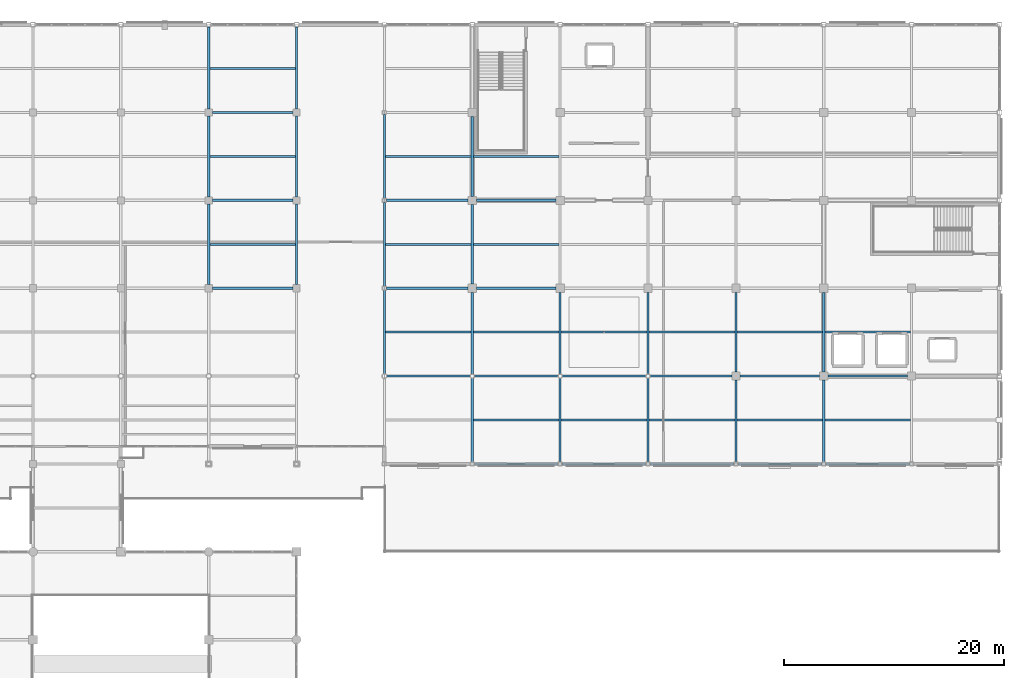
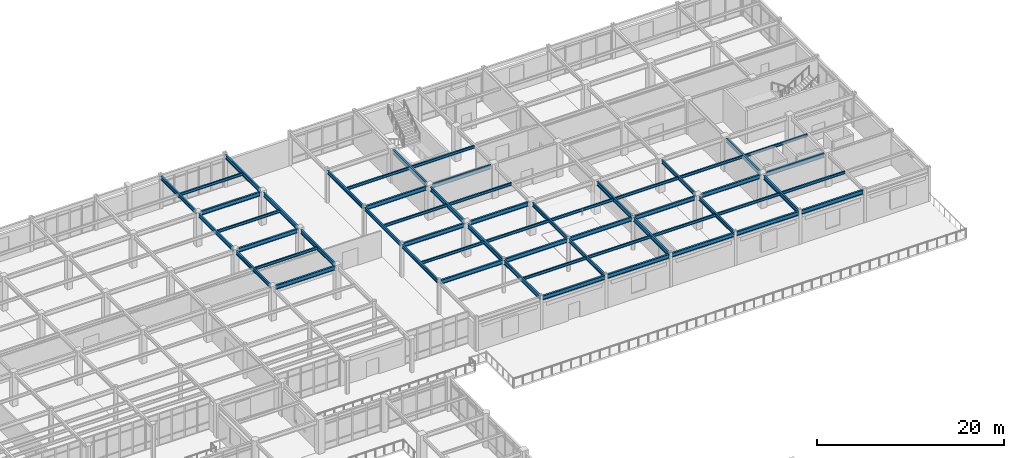
# One storey, part 59 of 111: 57 beams.
"""IFC4 building model written with IfcOpenShell, lengths in metres."""

from ifc_helpers import new_model, si_unit, direction, frame, origin, origin_2d, place, context, subcontext, project, spatial, i_section, extrude, material, material_profile, profile_set, type_object, element, save


model = new_model("IFC4")

# Units and contexts
model_context = context("Model", 3, precision=1e-05, world=origin(), true_north=direction((0.0, 1.0)))
body_context = subcontext(model_context, "Body", "Model", "MODEL_VIEW")
ifc_project = project(units=[si_unit("LENGTHUNIT", "METRE"), si_unit("AREAUNIT", "SQUARE_METRE"), si_unit("VOLUMEUNIT", "CUBIC_METRE"), si_unit("PLANEANGLEUNIT", "RADIAN"), si_unit("MASSUNIT", "GRAM", prefix="KILO")], contexts=[model_context])

# Site, building, storey
site_placement = place(None, origin())
site = spatial("IfcSite", under=ifc_project, at=site_placement, CompositionType="ELEMENT")
building_placement = place(site_placement, origin())
building = spatial("IfcBuilding", under=site, at=building_placement, Name="Solmirada Galleria", CompositionType="ELEMENT")
storey_placement = place(building_placement, frame((0.0, 0.0, 10.39990234375)))
storey = spatial("IfcBuildingStorey", under=building, at=storey_placement, Name="L02", CompositionType="ELEMENT", Elevation=10.39990234375)

# Beams
ifc_material = material(Name="Steel S355 / ASTM A992 Grade 50", Category="steel")
ifc_material_profile_1 = material_profile(ifc_material, i_section(OverallWidth=0.194091796875, OverallDepth=0.468994140625, WebThickness=0.0126953125, FlangeThickness=0.0205078125, FilletRadius=0.013916015625, at=origin_2d()), Name="W18X71")
ifc_profile_set_1 = profile_set([ifc_material_profile_1], Name="Steel S355 / ASTM A992 Grade 50")
beam_type_1 = type_object("IfcBeamType", Name="BM-GIRD-W18B", PredefinedType="BEAM", material=ifc_profile_set_1)
for number, where, z_axis, x_axis, name in (
    (1, (104.0, 96.324951171875, 4.065673828125), (0.0, 1.0, 0.0), (-1.0, 0.0, 0.0), "Primary girder L03 Y(104, 96..104)"),
    (2, (104.0, 104.324951171875, 4.065673828125), (0.0, 1.0, 0.0), (-1.0, 0.0, 0.0), "Primary girder L03 Y(104, 104..112)"),
):
    element("IfcBeam", number, at=place(storey_placement, frame(where, z_axis=z_axis, x_axis=x_axis)), inside=storey, type_object=beam_type_1, Name=name, PredefinedType="BEAM", context=body_context, shape_type="SweptSolid", body=[
        extrude(i_section(OverallWidth=0.194091796875, OverallDepth=0.468994140625, WebThickness=0.0126953125, FlangeThickness=0.0205078125, FilletRadius=0.013916015625, at=origin_2d()), origin(), (0.0, 0.0, 1.0), 7.35009765625),
    ])
beam_1_placement = place(storey_placement, frame((104.0, 112.324951171875, 4.065673828125), z_axis=(0.0, 1.0, 0.0), x_axis=(-1.0, 0.0, 0.0)))
element("IfcBeam", 3, at=beam_1_placement, inside=storey, type_object=beam_type_1, Name="Primary girder L03 Y(104, 112..120)", PredefinedType="BEAM", context=body_context, shape_type="SweptSolid", body=[
    extrude(i_section(OverallWidth=0.194091796875, OverallDepth=0.468994140625, WebThickness=0.0126953125, FlangeThickness=0.0205078125, FilletRadius=0.013916015625, at=origin_2d()), origin(), (0.0, 0.0, 1.0), 7.47216796875),
])
beam_2_placement = place(storey_placement, frame((120.0, 88.19189453125, 4.065673828125), z_axis=(0.0, 1.0, 0.0), x_axis=(-1.0, 0.0, 0.0)))
element("IfcBeam", 4, at=beam_2_placement, inside=storey, type_object=beam_type_1, Name="Primary girder L03 Y(120, 88..96)", PredefinedType="BEAM", context=body_context, shape_type="SweptSolid", body=[
    extrude(i_section(OverallWidth=0.194091796875, OverallDepth=0.468994140625, WebThickness=0.0126953125, FlangeThickness=0.0205078125, FilletRadius=0.013916015625, at=origin_2d()), origin(), (0.0, 0.0, 1.0), 7.630126953125),
])
for number, where, z_axis, x_axis, name in (
    (5, (120.0, 96.177978515625, 4.065673828125), (0.0, 1.0, 0.0), (-1.0, 0.0, 0.0), "Primary girder L03 Y(120, 96..104)"),
    (6, (120.0, 104.177978515625, 4.065673828125), (0.0, 1.0, 0.0), (-1.0, 0.0, 0.0), "Primary girder L03 Y(120, 104..112)"),
):
    element("IfcBeam", number, at=place(storey_placement, frame(where, z_axis=z_axis, x_axis=x_axis)), inside=storey, type_object=beam_type_1, Name=name, PredefinedType="BEAM", context=body_context, shape_type="SweptSolid", body=[
        extrude(i_section(OverallWidth=0.194091796875, OverallDepth=0.468994140625, WebThickness=0.0126953125, FlangeThickness=0.0205078125, FilletRadius=0.013916015625, at=origin_2d()), origin(), (0.0, 0.0, 1.0), 7.64404296875),
    ])
beam_3_placement = place(storey_placement, frame((136.0, 80.177978515625, 4.065673828125), z_axis=(0.0, 1.0, 0.0), x_axis=(-1.0, 0.0, 0.0)))
element("IfcBeam", 7, at=beam_3_placement, inside=storey, type_object=beam_type_1, Name="Primary girder L03 Y(136, 80..88)", PredefinedType="BEAM", context=body_context, shape_type="SweptSolid", body=[
    extrude(i_section(OverallWidth=0.194091796875, OverallDepth=0.468994140625, WebThickness=0.0126953125, FlangeThickness=0.0205078125, FilletRadius=0.013916015625, at=origin_2d()), origin(), (0.0, 0.0, 1.0), 7.651611328125),
])
beam_4_placement = place(storey_placement, frame((136.0, 88.17041015625, 4.065673828125), z_axis=(0.0, 1.0, 0.0), x_axis=(-1.0, 0.0, 0.0)))
element("IfcBeam", 8, at=beam_4_placement, inside=storey, type_object=beam_type_1, Name="Primary girder L03 Y(136, 88..96)", PredefinedType="BEAM", context=body_context, shape_type="SweptSolid", body=[
    extrude(i_section(OverallWidth=0.194091796875, OverallDepth=0.468994140625, WebThickness=0.0126953125, FlangeThickness=0.0205078125, FilletRadius=0.013916015625, at=origin_2d()), origin(), (0.0, 0.0, 1.0), 7.45458984375),
])
beam_5_placement = place(storey_placement, frame((152.0, 80.177978515625, 4.065673828125), z_axis=(0.0, 1.0, 0.0), x_axis=(-1.0, 0.0, 0.0)))
element("IfcBeam", 9, at=beam_5_placement, inside=storey, type_object=beam_type_1, Name="Primary girder L03 Y(152, 80..88)", PredefinedType="BEAM", context=body_context, shape_type="SweptSolid", body=[
    extrude(i_section(OverallWidth=0.194091796875, OverallDepth=0.468994140625, WebThickness=0.0126953125, FlangeThickness=0.0205078125, FilletRadius=0.013916015625, at=origin_2d()), origin(), (0.0, 0.0, 1.0), 7.447021484375),
])
beam_6_placement = place(storey_placement, frame((152.0, 88.375, 4.065673828125), z_axis=(0.0, 1.0, 0.0), x_axis=(-1.0, 0.0, 0.0)))
element("IfcBeam", 10, at=beam_6_placement, inside=storey, type_object=beam_type_1, Name="Primary girder L03 Y(152, 88..96)", PredefinedType="BEAM", context=body_context, shape_type="SweptSolid", body=[
    extrude(i_section(OverallWidth=0.194091796875, OverallDepth=0.468994140625, WebThickness=0.0126953125, FlangeThickness=0.0205078125, FilletRadius=0.013916015625, at=origin_2d()), origin(), (0.0, 0.0, 1.0), 7.25),
])
ifc_material_profile_2 = material_profile(ifc_material, i_section(OverallWidth=0.214111328125, OverallDepth=0.549072265625, WebThickness=0.0146484375, FlangeThickness=0.023681640625, FilletRadius=0.014892578125, at=origin_2d()), Name="W21X93")
ifc_profile_set_2 = profile_set([ifc_material_profile_2], Name="Steel S355 / ASTM A992 Grade 50")
beam_type_2 = type_object("IfcBeamType", Name="BM-GIRD-W21A", PredefinedType="BEAM", material=ifc_profile_set_2)
for number, where, z_axis, x_axis, name in (
    (11, (104.324951171875, 96.0, 4.025634765625), (1.0, 0.0, 0.0), (0.0, 1.0, 0.0), "Primary beam L03 X(104..112, 96)"),
    (12, (104.324951171875, 112.0, 4.025634765625), (1.0, 0.0, 0.0), (0.0, 1.0, 0.0), "Primary beam L03 X(104..112, 112)"),
):
    element("IfcBeam", number, at=place(storey_placement, frame(where, z_axis=z_axis, x_axis=x_axis)), inside=storey, type_object=beam_type_2, Name=name, PredefinedType="BEAM", context=body_context, shape_type="SweptSolid", body=[
        extrude(i_section(OverallWidth=0.214111328125, OverallDepth=0.549072265625, WebThickness=0.0146484375, FlangeThickness=0.023681640625, FilletRadius=0.014892578125, at=origin_2d()), origin(), (0.0, 0.0, 1.0), 7.35009765625),
    ])
beam_7_placement = place(storey_placement, frame((120.177978515625, 96.0, 4.025634765625), z_axis=(1.0, 0.0, 0.0), x_axis=(0.0, 1.0, 0.0)))
element("IfcBeam", 13, at=beam_7_placement, inside=storey, type_object=beam_type_2, Name="Primary beam L03 X(120..128, 96)", PredefinedType="BEAM", context=body_context, shape_type="SweptSolid", body=[
    extrude(i_section(OverallWidth=0.214111328125, OverallDepth=0.549072265625, WebThickness=0.0146484375, FlangeThickness=0.023681640625, FilletRadius=0.014892578125, at=origin_2d()), origin(), (0.0, 0.0, 1.0), 7.447021484375),
])
beam_8_placement = place(storey_placement, frame((128.177978515625, 80.0, 4.025634765625), z_axis=(1.0, 0.0, 0.0), x_axis=(0.0, 1.0, 0.0)))
element("IfcBeam", 14, at=beam_8_placement, inside=storey, type_object=beam_type_2, Name="Primary beam L03 X(128..136, 80)", PredefinedType="BEAM", context=body_context, shape_type="SweptSolid", body=[
    extrude(i_section(OverallWidth=0.214111328125, OverallDepth=0.549072265625, WebThickness=0.0146484375, FlangeThickness=0.023681640625, FilletRadius=0.014892578125, at=origin_2d()), origin(), (0.0, 0.0, 1.0), 7.64404296875),
])
beam_9_placement = place(storey_placement, frame((128.375, 96.0, 4.025634765625), z_axis=(1.0, 0.0, 0.0), x_axis=(0.0, 1.0, 0.0)))
element("IfcBeam", 15, at=beam_9_placement, inside=storey, type_object=beam_type_2, Name="Primary beam L03 X(128..136, 96)", PredefinedType="BEAM", context=body_context, shape_type="SweptSolid", body=[
    extrude(i_section(OverallWidth=0.214111328125, OverallDepth=0.549072265625, WebThickness=0.0146484375, FlangeThickness=0.023681640625, FilletRadius=0.014892578125, at=origin_2d()), origin(), (0.0, 0.0, 1.0), 7.25),
])
for number, where, z_axis, x_axis, name in (
    (16, (136.177978515625, 80.0, 4.025634765625), (1.0, 0.0, 0.0), (0.0, 1.0, 0.0), "Primary beam L03 X(136..144, 80)"),
    (17, (144.177978515625, 80.0, 4.025634765625), (1.0, 0.0, 0.0), (0.0, 1.0, 0.0), "Primary beam L03 X(144..152, 80)"),
    (18, (152.177978515625, 80.0, 4.025634765625), (1.0, 0.0, 0.0), (0.0, 1.0, 0.0), "Primary beam L03 X(152..160, 80)"),
    (19, (160.177978515625, 80.0, 4.025634765625), (1.0, 0.0, 0.0), (0.0, 1.0, 0.0), "Primary beam L03 X(160..168, 80)"),
):
    element("IfcBeam", number, at=place(storey_placement, frame(where, z_axis=z_axis, x_axis=x_axis)), inside=storey, type_object=beam_type_2, Name=name, PredefinedType="BEAM", context=body_context, shape_type="SweptSolid", body=[
        extrude(i_section(OverallWidth=0.214111328125, OverallDepth=0.549072265625, WebThickness=0.0146484375, FlangeThickness=0.023681640625, FilletRadius=0.014892578125, at=origin_2d()), origin(), (0.0, 0.0, 1.0), 7.64404296875),
    ])
ifc_material_profile_3 = material_profile(ifc_material, i_section(OverallWidth=0.2099609375, OverallDepth=0.537109375, WebThickness=0.010986328125, FlangeThickness=0.017333984375, FilletRadius=0.014892578125, at=origin_2d()), Name="W21X68")
ifc_profile_set_3 = profile_set([ifc_material_profile_3], Name="Steel S355 / ASTM A992 Grade 50")
beam_type_3 = type_object("IfcBeamType", Name="BM-GIRD-W21B", PredefinedType="BEAM", material=ifc_profile_set_3)
beam_10_placement = place(storey_placement, frame((104.324951171875, 104.0, 4.031494140625), z_axis=(1.0, 0.0, 0.0), x_axis=(0.0, 1.0, 0.0)))
element("IfcBeam", 20, at=beam_10_placement, inside=storey, type_object=beam_type_3, Name="Primary beam L03 X(104..112, 104)", PredefinedType="BEAM", context=body_context, shape_type="SweptSolid", body=[
    extrude(i_section(OverallWidth=0.2099609375, OverallDepth=0.537109375, WebThickness=0.010986328125, FlangeThickness=0.017333984375, FilletRadius=0.014892578125, at=origin_2d()), origin(), (0.0, 0.0, 1.0), 7.35009765625),
])
beam_11_placement = place(storey_placement, frame((120.19189453125, 88.0, 4.031494140625), z_axis=(1.0, 0.0, 0.0), x_axis=(0.0, 1.0, 0.0)))
element("IfcBeam", 21, at=beam_11_placement, inside=storey, type_object=beam_type_3, Name="Primary beam L03 X(120..128, 88)", PredefinedType="BEAM", context=body_context, shape_type="SweptSolid", body=[
    extrude(i_section(OverallWidth=0.2099609375, OverallDepth=0.537109375, WebThickness=0.010986328125, FlangeThickness=0.017333984375, FilletRadius=0.014892578125, at=origin_2d()), origin(), (0.0, 0.0, 1.0), 7.6376953125),
])
beam_12_placement = place(storey_placement, frame((120.177978515625, 104.0, 4.031494140625), z_axis=(1.0, 0.0, 0.0), x_axis=(0.0, 1.0, 0.0)))
element("IfcBeam", 22, at=beam_12_placement, inside=storey, type_object=beam_type_3, Name="Primary beam L03 X(120..128, 104)", PredefinedType="BEAM", context=body_context, shape_type="SweptSolid", body=[
    extrude(i_section(OverallWidth=0.2099609375, OverallDepth=0.537109375, WebThickness=0.010986328125, FlangeThickness=0.017333984375, FilletRadius=0.014892578125, at=origin_2d()), origin(), (0.0, 0.0, 1.0), 7.447021484375),
])
beam_13_placement = place(storey_placement, frame((128.17041015625, 88.0, 4.031494140625), z_axis=(1.0, 0.0, 0.0), x_axis=(0.0, 1.0, 0.0)))
element("IfcBeam", 23, at=beam_13_placement, inside=storey, type_object=beam_type_3, Name="Primary beam L03 X(128..136, 88)", PredefinedType="BEAM", context=body_context, shape_type="SweptSolid", body=[
    extrude(i_section(OverallWidth=0.2099609375, OverallDepth=0.537109375, WebThickness=0.010986328125, FlangeThickness=0.017333984375, FilletRadius=0.014892578125, at=origin_2d()), origin(), (0.0, 0.0, 1.0), 7.6591796875),
])
beam_14_placement = place(storey_placement, frame((128.375, 104.0, 4.031494140625), z_axis=(1.0, 0.0, 0.0), x_axis=(0.0, 1.0, 0.0)))
element("IfcBeam", 24, at=beam_14_placement, inside=storey, type_object=beam_type_3, Name="Primary beam L03 X(128..136, 104)", PredefinedType="BEAM", context=body_context, shape_type="SweptSolid", body=[
    extrude(i_section(OverallWidth=0.2099609375, OverallDepth=0.537109375, WebThickness=0.010986328125, FlangeThickness=0.017333984375, FilletRadius=0.014892578125, at=origin_2d()), origin(), (0.0, 0.0, 1.0), 7.25),
])
beam_15_placement = place(storey_placement, frame((136.17041015625, 88.0, 4.031494140625), z_axis=(1.0, 0.0, 0.0), x_axis=(0.0, 1.0, 0.0)))
element("IfcBeam", 25, at=beam_15_placement, inside=storey, type_object=beam_type_3, Name="Primary beam L03 X(136..144, 88)", PredefinedType="BEAM", context=body_context, shape_type="SweptSolid", body=[
    extrude(i_section(OverallWidth=0.2099609375, OverallDepth=0.537109375, WebThickness=0.010986328125, FlangeThickness=0.017333984375, FilletRadius=0.014892578125, at=origin_2d()), origin(), (0.0, 0.0, 1.0), 7.6591796875),
])
beam_16_placement = place(storey_placement, frame((144.17041015625, 88.0, 4.031494140625), z_axis=(1.0, 0.0, 0.0), x_axis=(0.0, 1.0, 0.0)))
element("IfcBeam", 26, at=beam_16_placement, inside=storey, type_object=beam_type_3, Name="Primary beam L03 X(144..152, 88)", PredefinedType="BEAM", context=body_context, shape_type="SweptSolid", body=[
    extrude(i_section(OverallWidth=0.2099609375, OverallDepth=0.537109375, WebThickness=0.010986328125, FlangeThickness=0.017333984375, FilletRadius=0.014892578125, at=origin_2d()), origin(), (0.0, 0.0, 1.0), 7.45458984375),
])
for number, where, z_axis, x_axis, name in (
    (27, (152.375, 88.0, 4.031494140625), (1.0, 0.0, 0.0), (0.0, 1.0, 0.0), "Primary beam L03 X(152..160, 88)"),
    (28, (160.375, 88.0, 4.031494140625), (1.0, 0.0, 0.0), (0.0, 1.0, 0.0), "Primary beam L03 X(160..168, 88)"),
):
    element("IfcBeam", number, at=place(storey_placement, frame(where, z_axis=z_axis, x_axis=x_axis)), inside=storey, type_object=beam_type_3, Name=name, PredefinedType="BEAM", context=body_context, shape_type="SweptSolid", body=[
        extrude(i_section(OverallWidth=0.2099609375, OverallDepth=0.537109375, WebThickness=0.010986328125, FlangeThickness=0.017333984375, FilletRadius=0.014892578125, at=origin_2d()), origin(), (0.0, 0.0, 1.0), 7.25),
    ])
for number, where, z_axis, x_axis, name in (
    (29, (112.0, 96.324951171875, 4.031494140625), (0.0, 1.0, 0.0), (-1.0, 0.0, 0.0), "Primary girder L03 Y(112, 96..104)"),
    (30, (112.0, 104.324951171875, 4.031494140625), (0.0, 1.0, 0.0), (-1.0, 0.0, 0.0), "Primary girder L03 Y(112, 104..112)"),
):
    element("IfcBeam", number, at=place(storey_placement, frame(where, z_axis=z_axis, x_axis=x_axis)), inside=storey, type_object=beam_type_3, Name=name, PredefinedType="BEAM", context=body_context, shape_type="SweptSolid", body=[
        extrude(i_section(OverallWidth=0.2099609375, OverallDepth=0.537109375, WebThickness=0.010986328125, FlangeThickness=0.017333984375, FilletRadius=0.014892578125, at=origin_2d()), origin(), (0.0, 0.0, 1.0), 7.35009765625),
    ])
beam_17_placement = place(storey_placement, frame((112.0, 112.324951171875, 4.031494140625), z_axis=(0.0, 1.0, 0.0), x_axis=(-1.0, 0.0, 0.0)))
element("IfcBeam", 31, at=beam_17_placement, inside=storey, type_object=beam_type_3, Name="Primary girder L03 Y(112, 112..120)", PredefinedType="BEAM", context=body_context, shape_type="SweptSolid", body=[
    extrude(i_section(OverallWidth=0.2099609375, OverallDepth=0.537109375, WebThickness=0.010986328125, FlangeThickness=0.017333984375, FilletRadius=0.014892578125, at=origin_2d()), origin(), (0.0, 0.0, 1.0), 7.47216796875),
])
beam_18_placement = place(storey_placement, frame((128.0, 80.177978515625, 4.031494140625), z_axis=(0.0, 1.0, 0.0), x_axis=(-1.0, 0.0, 0.0)))
element("IfcBeam", 32, at=beam_18_placement, inside=storey, type_object=beam_type_3, Name="Primary girder L03 Y(128, 80..88)", PredefinedType="BEAM", context=body_context, shape_type="SweptSolid", body=[
    extrude(i_section(OverallWidth=0.2099609375, OverallDepth=0.537109375, WebThickness=0.010986328125, FlangeThickness=0.017333984375, FilletRadius=0.014892578125, at=origin_2d()), origin(), (0.0, 0.0, 1.0), 7.651611328125),
])
beam_19_placement = place(storey_placement, frame((128.0, 88.17041015625, 4.031494140625), z_axis=(0.0, 1.0, 0.0), x_axis=(-1.0, 0.0, 0.0)))
element("IfcBeam", 33, at=beam_19_placement, inside=storey, type_object=beam_type_3, Name="Primary girder L03 Y(128, 88..96)", PredefinedType="BEAM", context=body_context, shape_type="SweptSolid", body=[
    extrude(i_section(OverallWidth=0.2099609375, OverallDepth=0.537109375, WebThickness=0.010986328125, FlangeThickness=0.017333984375, FilletRadius=0.014892578125, at=origin_2d()), origin(), (0.0, 0.0, 1.0), 7.45458984375),
])
for number, where, z_axis, x_axis, name in (
    (34, (128.0, 96.375, 4.031494140625), (0.0, 1.0, 0.0), (-1.0, 0.0, 0.0), "Primary girder L03 Y(128, 96..104)"),
    (35, (128.0, 104.375, 4.031494140625), (0.0, 1.0, 0.0), (-1.0, 0.0, 0.0), "Primary girder L03 Y(128, 104..112)"),
):
    element("IfcBeam", number, at=place(storey_placement, frame(where, z_axis=z_axis, x_axis=x_axis)), inside=storey, type_object=beam_type_3, Name=name, PredefinedType="BEAM", context=body_context, shape_type="SweptSolid", body=[
        extrude(i_section(OverallWidth=0.2099609375, OverallDepth=0.537109375, WebThickness=0.010986328125, FlangeThickness=0.017333984375, FilletRadius=0.014892578125, at=origin_2d()), origin(), (0.0, 0.0, 1.0), 7.25),
    ])
beam_20_placement = place(storey_placement, frame((144.0, 80.177978515625, 4.031494140625), z_axis=(0.0, 1.0, 0.0), x_axis=(-1.0, 0.0, 0.0)))
element("IfcBeam", 36, at=beam_20_placement, inside=storey, type_object=beam_type_3, Name="Primary girder L03 Y(144, 80..88)", PredefinedType="BEAM", context=body_context, shape_type="SweptSolid", body=[
    extrude(i_section(OverallWidth=0.2099609375, OverallDepth=0.537109375, WebThickness=0.010986328125, FlangeThickness=0.017333984375, FilletRadius=0.014892578125, at=origin_2d()), origin(), (0.0, 0.0, 1.0), 7.651611328125),
])
beam_21_placement = place(storey_placement, frame((144.0, 88.17041015625, 4.031494140625), z_axis=(0.0, 1.0, 0.0), x_axis=(-1.0, 0.0, 0.0)))
element("IfcBeam", 37, at=beam_21_placement, inside=storey, type_object=beam_type_3, Name="Primary girder L03 Y(144, 88..96)", PredefinedType="BEAM", context=body_context, shape_type="SweptSolid", body=[
    extrude(i_section(OverallWidth=0.2099609375, OverallDepth=0.537109375, WebThickness=0.010986328125, FlangeThickness=0.017333984375, FilletRadius=0.014892578125, at=origin_2d()), origin(), (0.0, 0.0, 1.0), 7.45458984375),
])
beam_22_placement = place(storey_placement, frame((160.0, 80.177978515625, 4.031494140625), z_axis=(0.0, 1.0, 0.0), x_axis=(-1.0, 0.0, 0.0)))
element("IfcBeam", 38, at=beam_22_placement, inside=storey, type_object=beam_type_3, Name="Primary girder L03 Y(160, 80..88)", PredefinedType="BEAM", context=body_context, shape_type="SweptSolid", body=[
    extrude(i_section(OverallWidth=0.2099609375, OverallDepth=0.537109375, WebThickness=0.010986328125, FlangeThickness=0.017333984375, FilletRadius=0.014892578125, at=origin_2d()), origin(), (0.0, 0.0, 1.0), 7.447021484375),
])
beam_23_placement = place(storey_placement, frame((160.0, 88.375, 4.031494140625), z_axis=(0.0, 1.0, 0.0), x_axis=(-1.0, 0.0, 0.0)))
element("IfcBeam", 39, at=beam_23_placement, inside=storey, type_object=beam_type_3, Name="Primary girder L03 Y(160, 88..96)", PredefinedType="BEAM", context=body_context, shape_type="SweptSolid", body=[
    extrude(i_section(OverallWidth=0.2099609375, OverallDepth=0.537109375, WebThickness=0.010986328125, FlangeThickness=0.017333984375, FilletRadius=0.014892578125, at=origin_2d()), origin(), (0.0, 0.0, 1.0), 7.25),
])
ifc_material_profile_4 = material_profile(ifc_material, i_section(OverallWidth=0.172119140625, OverallDepth=0.35791015625, WebThickness=0.0078125, FlangeThickness=0.01318359375, FilletRadius=0.011962890625, at=origin_2d()), Name="W14X38")
ifc_profile_set_4 = profile_set([ifc_material_profile_4], Name="Steel S355 / ASTM A992 Grade 50")
beam_type_4 = type_object("IfcBeamType", Name="BM-JST-W14A", PredefinedType="JOIST", material=ifc_profile_set_4)
for number, where, z_axis, x_axis, name in (
    (40, (104.096923828125, 100.0, 4.12109375), (1.0, 0.0, 0.0), (0.0, 1.0, 0.0), "Composite floor joist L03 (104..112, 100.0)"),
    (41, (104.096923828125, 108.0, 4.12109375), (1.0, 0.0, 0.0), (0.0, 1.0, 0.0), "Composite floor joist L03 (104..112, 108.0)"),
    (42, (104.096923828125, 116.0, 4.12109375), (1.0, 0.0, 0.0), (0.0, 1.0, 0.0), "Composite floor joist L03 (104..112, 116.0)"),
    (43, (120.096923828125, 92.0, 4.12109375), (1.0, 0.0, 0.0), (0.0, 1.0, 0.0), "Composite floor joist L03 (120..128, 92.0)"),
    (44, (120.096923828125, 100.0, 4.12109375), (1.0, 0.0, 0.0), (0.0, 1.0, 0.0), "Composite floor joist L03 (120..128, 100.0)"),
    (45, (120.096923828125, 108.0, 4.12109375), (1.0, 0.0, 0.0), (0.0, 1.0, 0.0), "Composite floor joist L03 (120..128, 108.0)"),
    (46, (128.10498046875, 84.0, 4.12109375), (1.0, 0.0, 0.0), (0.0, 1.0, 0.0), "Composite floor joist L03 (128..136, 84.0)"),
    (47, (128.10498046875, 92.0, 4.12109375), (1.0, 0.0, 0.0), (0.0, 1.0, 0.0), "Composite floor joist L03 (128..136, 92.0)"),
    (48, (128.10498046875, 100.0, 4.12109375), (1.0, 0.0, 0.0), (0.0, 1.0, 0.0), "Composite floor joist L03 (128..136, 100.0)"),
    (49, (128.10498046875, 108.0, 4.12109375), (1.0, 0.0, 0.0), (0.0, 1.0, 0.0), "Composite floor joist L03 (128..136, 108.0)"),
    (50, (136.096923828125, 84.0, 4.12109375), (1.0, 0.0, 0.0), (0.0, 1.0, 0.0), "Composite floor joist L03 (136..144, 84.0)"),
    (51, (136.096923828125, 92.0, 4.12109375), (1.0, 0.0, 0.0), (0.0, 1.0, 0.0), "Composite floor joist L03 (136..144, 92.0)"),
    (52, (144.10498046875, 84.0, 4.12109375), (1.0, 0.0, 0.0), (0.0, 1.0, 0.0), "Composite floor joist L03 (144..152, 84.0)"),
    (53, (144.10498046875, 92.0, 4.12109375), (1.0, 0.0, 0.0), (0.0, 1.0, 0.0), "Composite floor joist L03 (144..152, 92.0)"),
    (54, (152.096923828125, 84.0, 4.12109375), (1.0, 0.0, 0.0), (0.0, 1.0, 0.0), "Composite floor joist L03 (152..160, 84.0)"),
    (55, (152.096923828125, 92.0, 4.12109375), (1.0, 0.0, 0.0), (0.0, 1.0, 0.0), "Composite floor joist L03 (152..160, 92.0)"),
    (56, (160.10498046875, 84.0, 4.12109375), (1.0, 0.0, 0.0), (0.0, 1.0, 0.0), "Composite floor joist L03 (160..168, 84.0)"),
    (57, (160.10498046875, 92.0, 4.12109375), (1.0, 0.0, 0.0), (0.0, 1.0, 0.0), "Composite floor joist L03 (160..168, 92.0)"),
):
    element("IfcBeam", number, at=place(storey_placement, frame(where, z_axis=z_axis, x_axis=x_axis)), inside=storey, type_object=beam_type_4, Name=name, PredefinedType="JOIST", context=body_context, shape_type="SweptSolid", body=[
        extrude(i_section(OverallWidth=0.172119140625, OverallDepth=0.35791015625, WebThickness=0.0078125, FlangeThickness=0.01318359375, FilletRadius=0.011962890625, at=origin_2d()), origin(), (0.0, 0.0, 1.0), 7.798095703125),
    ])

save(model, "model.ifc")
